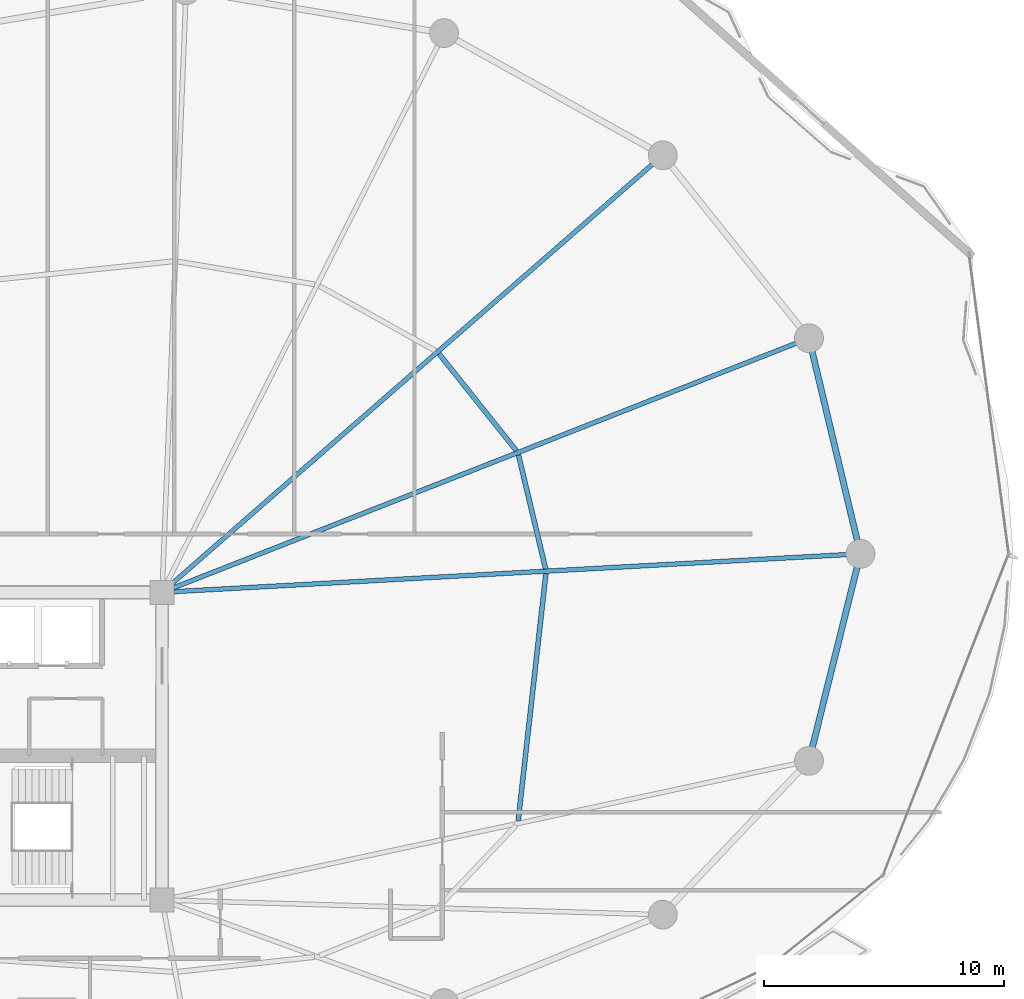
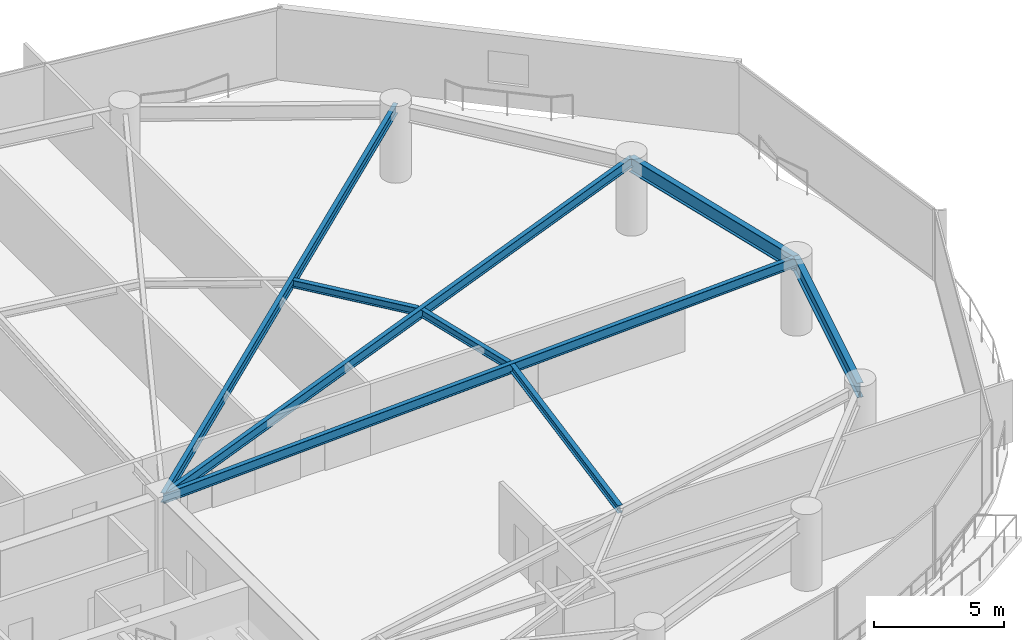
# One storey, part 16 of 33: 8 beams.
"""IFC4 building model written with IfcOpenShell, lengths in metres."""

from ifc_helpers import new_model, si_unit, direction, frame, origin, origin_2d, place, context, subcontext, project, spatial, i_section, extrude, material, material_profile, profile_set, type_object, element, save


model = new_model("IFC4")

# Units and contexts
model_context = context("Model", 3, precision=1e-05, world=origin(), true_north=direction((0.0, 1.0)))
body_context = subcontext(model_context, "Body", "Model", "MODEL_VIEW")
ifc_project = project(units=[si_unit("LENGTHUNIT", "METRE"), si_unit("AREAUNIT", "SQUARE_METRE"), si_unit("VOLUMEUNIT", "CUBIC_METRE"), si_unit("PLANEANGLEUNIT", "RADIAN"), si_unit("MASSUNIT", "GRAM", prefix="KILO")], contexts=[model_context])

# Site, building, storey
site_placement = place(None, origin())
site = spatial("IfcSite", under=ifc_project, at=site_placement, CompositionType="ELEMENT")
building_placement = place(site_placement, origin())
building = spatial("IfcBuilding", under=site, at=building_placement, Name="Kazevale Care Tower and Concert Hall", CompositionType="ELEMENT")
storey_placement = place(building_placement, frame((0.0, 0.0, 149.39990234375)))
storey = spatial("IfcBuildingStorey", under=building, at=storey_placement, Name="L39", CompositionType="ELEMENT", Elevation=149.39990234375)

# Beams
ifc_material = material(Name="Steel ASTM A572 Gr 50", Category="steel")
ifc_material_profile_1 = material_profile(ifc_material, i_section(OverallWidth=0.19091796875, OverallDepth=0.4599609375, WebThickness=0.010009765625, FlangeThickness=0.01611328125, at=origin_2d()), Name="W460x82")
ifc_profile_set_1 = profile_set([ifc_material_profile_1], Name="Steel ASTM A572 Gr 50")
beam_type_1 = type_object("IfcBeamType", Name="Radial Floor Beam W460x82", PredefinedType="BEAM", material=ifc_profile_set_1)
beam_1_placement = place(storey_placement, frame((44.0, 36.39990234375, 3.130126953125), z_axis=(0.998486500016, 0.054997357076, 0.0), x_axis=(-0.054997357076, 0.998486500016, 0.0)))
element("IfcBeam", 1, at=beam_1_placement, inside=storey, type_object=beam_type_1, Name="beam:L39:rad:01", PredefinedType="BEAM", context=body_context, shape_type="SweptSolid", body=[
    extrude(i_section(OverallWidth=0.19091796875, OverallDepth=0.4599609375, WebThickness=0.010009765625, FlangeThickness=0.01611328125, at=origin_2d()), origin(), (0.0, 0.0, 1.0), 29.093994140625),
])
beam_2_placement = place(storey_placement, frame((44.0, 36.39990234375, 3.130126953125), z_axis=(0.930771301513, 0.36560194786, 0.0), x_axis=(-0.36560194786, 0.930771301513, 0.0)))
element("IfcBeam", 2, at=beam_2_placement, inside=storey, type_object=beam_type_1, Name="beam:L39:rad:02", PredefinedType="BEAM", context=body_context, shape_type="SweptSolid", body=[
    extrude(i_section(OverallWidth=0.19091796875, OverallDepth=0.4599609375, WebThickness=0.010009765625, FlangeThickness=0.01611328125, at=origin_2d()), origin(), (0.0, 0.0, 1.0), 28.911376953125),
])
beam_3_placement = place(storey_placement, frame((44.0, 36.39990234375, 3.130126953125), z_axis=(0.753403181998, 0.657558853149, 0.0), x_axis=(-0.657558853149, 0.753403181998, 0.0)))
element("IfcBeam", 3, at=beam_3_placement, inside=storey, type_object=beam_type_1, Name="beam:L39:rad:03", PredefinedType="BEAM", context=body_context, shape_type="SweptSolid", body=[
    extrude(i_section(OverallWidth=0.19091796875, OverallDepth=0.4599609375, WebThickness=0.010009765625, FlangeThickness=0.01611328125, at=origin_2d()), origin(), (0.0, 0.0, 1.0), 27.64794921875),
])
ifc_material_profile_2 = material_profile(ifc_material, i_section(OverallWidth=0.205078125, OverallDepth=0.35400390625, WebThickness=0.009521484375, FlangeThickness=0.016845703125, at=origin_2d()), Name="W360x79")
ifc_profile_set_2 = profile_set([ifc_material_profile_2], Name="Steel ASTM A572 Gr 50")
beam_type_2 = type_object("IfcBeamType", Name="Secondary Floor Joist W360x79", PredefinedType="JOIST", material=ifc_profile_set_2)
beam_4_placement = place(storey_placement, frame((59.952880859375, 37.382080078125, 3.18310546875), z_axis=(-0.232005223279, 0.972714540023, 0.0), x_axis=(-0.972714540023, -0.232005223279, 0.0)))
element("IfcBeam", 4, at=beam_4_placement, inside=storey, type_object=beam_type_2, Name="beam:L39:joist:01", PredefinedType="JOIST", context=body_context, shape_type="SweptSolid", body=[
    extrude(i_section(OverallWidth=0.205078125, OverallDepth=0.35400390625, WebThickness=0.009521484375, FlangeThickness=0.016845703125, at=origin_2d()), origin(), (0.0, 0.0, 1.0), 4.861572265625),
])
beam_5_placement = place(storey_placement, frame((58.735107421875, 42.2958984375, 3.18310546875), z_axis=(-0.624261115922, 0.781215757104, 0.0), x_axis=(-0.781215757104, -0.624261115922, 0.0)))
element("IfcBeam", 5, at=beam_5_placement, inside=storey, type_object=beam_type_2, Name="beam:L39:joist:02", PredefinedType="JOIST", context=body_context, shape_type="SweptSolid", body=[
    extrude(i_section(OverallWidth=0.205078125, OverallDepth=0.35400390625, WebThickness=0.009521484375, FlangeThickness=0.016845703125, at=origin_2d()), origin(), (0.0, 0.0, 1.0), 5.147216796875),
])
beam_6_placement = place(storey_placement, frame((58.81201171875, 26.888916015625, 3.18310546875), z_axis=(0.111485011105, 0.993766115491, 0.0), x_axis=(-0.993766115491, 0.111485011105, 0.0)))
element("IfcBeam", 6, at=beam_6_placement, inside=storey, type_object=beam_type_2, Name="beam:L39:joist:16", PredefinedType="JOIST", context=body_context, shape_type="SweptSolid", body=[
    extrude(i_section(OverallWidth=0.205078125, OverallDepth=0.35400390625, WebThickness=0.009521484375, FlangeThickness=0.016845703125, at=origin_2d()), origin(), (0.0, 0.0, 1.0), 10.3515625),
])
ifc_material_profile_3 = material_profile(ifc_material, i_section(OverallWidth=0.256103515625, OverallDepth=0.693115234375, WebThickness=0.014404296875, FlangeThickness=0.023681640625, at=origin_2d()), Name="W690x170")
ifc_profile_set_3 = profile_set([ifc_material_profile_3], Name="Steel ASTM A572 Gr 50")
beam_type_3 = type_object("IfcBeamType", Name="Waist Ring Beam W690x170", PredefinedType="BEAM", material=ifc_profile_set_3)
beam_7_placement = place(storey_placement, frame((73.050048828125, 38.0, 3.013671875), z_axis=(-0.232075055882, 0.972697881378, 0.0), x_axis=(-0.972697881378, -0.232075055882, 0.0)))
element("IfcBeam", 7, at=beam_7_placement, inside=storey, type_object=beam_type_3, Name="beam:L39:ring:01", PredefinedType="BEAM", context=body_context, shape_type="SweptSolid", body=[
    extrude(i_section(OverallWidth=0.256103515625, OverallDepth=0.693115234375, WebThickness=0.014404296875, FlangeThickness=0.023681640625, at=origin_2d()), origin(), (0.0, 0.0, 1.0), 9.2216796875),
])
beam_8_placement = place(storey_placement, frame((70.909912109375, 29.389892578125, 3.013671875), z_axis=(0.241221022882, 0.970470204653, 0.0), x_axis=(-0.970470204653, 0.241221022882, 0.0)))
element("IfcBeam", 8, at=beam_8_placement, inside=storey, type_object=beam_type_3, Name="beam:L39:ring:16", PredefinedType="BEAM", context=body_context, shape_type="SweptSolid", body=[
    extrude(i_section(OverallWidth=0.256103515625, OverallDepth=0.693115234375, WebThickness=0.014404296875, FlangeThickness=0.023681640625, at=origin_2d()), origin(), (0.0, 0.0, 1.0), 8.8720703125),
])

save(model, "model.ifc")
